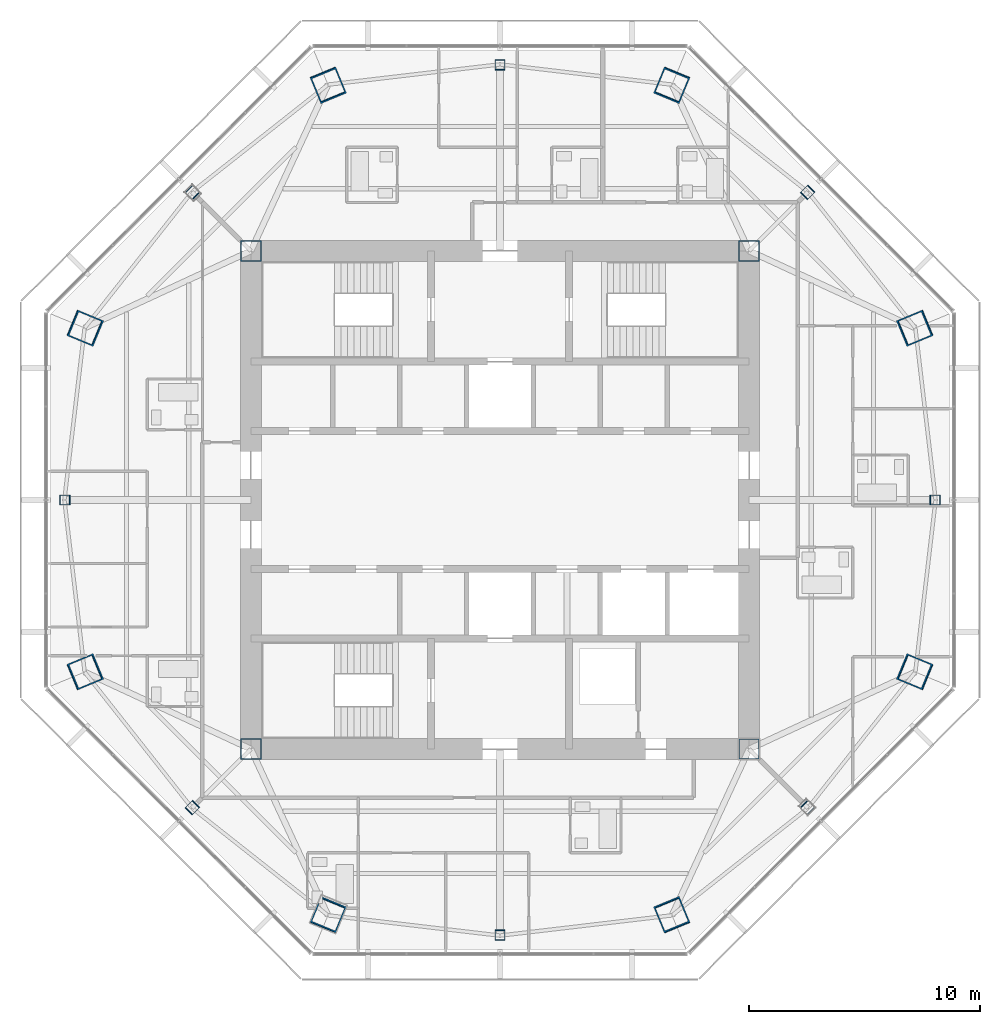
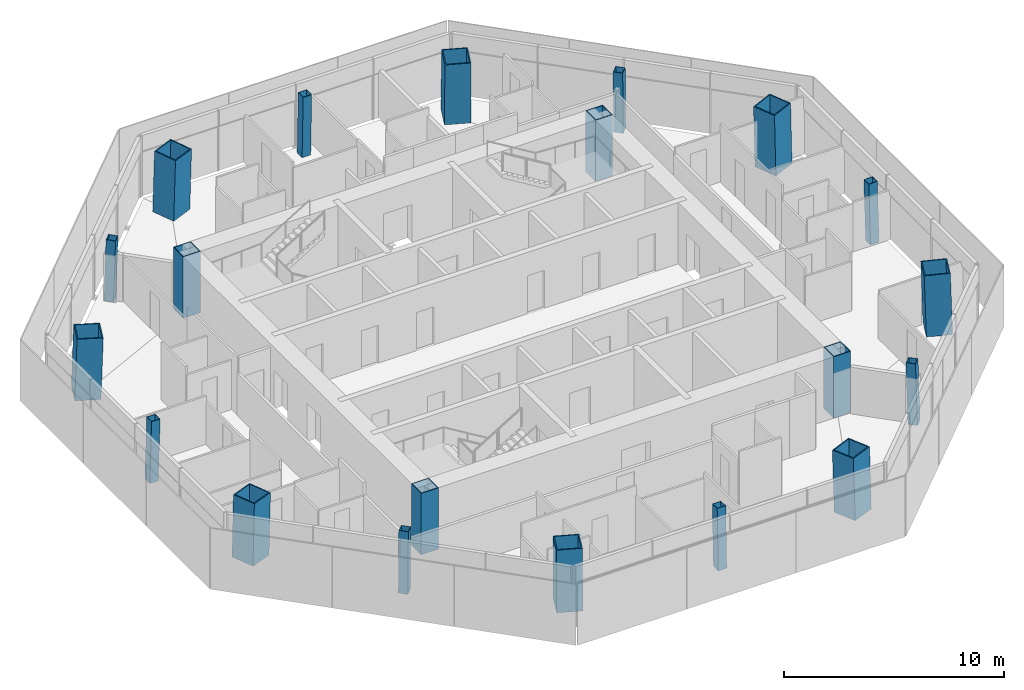
# One storey, part 1 of 15: 20 columns.
"""IFC4 building model written with IfcOpenShell, lengths in metres."""

from ifc_helpers import new_model, si_unit, direction, frame, origin, origin_2d, place, context, subcontext, project, spatial, hollow_rectangle, extrude, material, material_profile, profile_set, type_object, element, save


model = new_model("IFC4")

# Units and contexts
model_context = context("Model", 3, precision=1e-05, world=origin(), true_north=direction((0.0, 1.0)))
body_context = subcontext(model_context, "Body", "Model", "MODEL_VIEW")
ifc_project = project(units=[si_unit("LENGTHUNIT", "METRE"), si_unit("AREAUNIT", "SQUARE_METRE"), si_unit("VOLUMEUNIT", "CUBIC_METRE"), si_unit("PLANEANGLEUNIT", "RADIAN"), si_unit("MASSUNIT", "GRAM", prefix="KILO")], contexts=[model_context])

# Site, building, storey
site_placement = place(None, origin())
site = spatial("IfcSite", under=ifc_project, at=site_placement, CompositionType="ELEMENT")
building_placement = place(site_placement, origin())
building = spatial("IfcBuilding", under=site, at=building_placement, Name="Mashrafa Tower", CompositionType="ELEMENT")
storey_placement = place(building_placement, frame((0.0, 0.0, 294.60009765625)))
storey = spatial("IfcBuildingStorey", under=building, at=storey_placement, Name="L72", CompositionType="ELEMENT", Elevation=294.60009765625)

# Columns
ifc_material_1 = material(Name="Steel ASTM A572 Gr 50", Category="steel")
ifc_material_profile_1 = material_profile(ifc_material_1, hollow_rectangle(XDim=0.89990234375, YDim=0.89990234375, WallThickness=0.0400390625, at=origin_2d()), Name="BOX900X900X40")
ifc_profile_set_1 = profile_set([ifc_material_profile_1], Name="Steel ASTM A572 Gr 50")
column_type_1 = type_object("IfcColumnType", Name="Core corner column BOX900X900X40", PredefinedType="COLUMN", material=ifc_profile_set_1)
for number, where, z_axis, x_axis, name in (
    (1, (10.800048828125, 10.800048828125, 0.0), (0.0, 0.0, 1.0), (1.0, 0.0, 0.0), "Core corner column CC-NE L72"),
    (2, (-10.800048828125, 10.800048828125, 0.0), (0.0, 0.0, 1.0), (1.0, 0.0, 0.0), "Core corner column CC-NW L72"),
    (3, (-10.800048828125, -10.800048828125, 0.0), (0.0, 0.0, 1.0), (1.0, 0.0, 0.0), "Core corner column CC-SW L72"),
    (4, (10.800048828125, -10.800048828125, 0.0), (0.0, 0.0, 1.0), (1.0, 0.0, 0.0), "Core corner column CC-SE L72"),
):
    element("IfcColumn", number, at=place(storey_placement, frame(where, z_axis=z_axis, x_axis=x_axis)), inside=storey, type_object=column_type_1, Name=name, PredefinedType="COLUMN", context=body_context, shape_type="SweptSolid", body=[
        extrude(hollow_rectangle(XDim=0.89990234375, YDim=0.89990234375, WallThickness=0.0400390625, at=origin_2d()), origin(), (0.0, 0.0, 1.0), 3.39990234375),
    ])
ifc_material_2 = material(Name="Steel ASTM A572 Gr 50", Category="steel")
ifc_material_profile_2 = material_profile(ifc_material_2, hollow_rectangle(XDim=1.199951171875, YDim=1.199951171875, WallThickness=0.054931640625, at=origin_2d()), Name="BOX1200X1200X55")
ifc_profile_set_2 = profile_set([ifc_material_profile_2], Name="Steel ASTM A572 Gr 50")
column_type_2 = type_object("IfcColumnType", Name="Mega column CFST BOX1200X1200X55", PredefinedType="COLUMN", material=ifc_profile_set_2)
for number, where, z_axis, x_axis, name in (
    (5, (18.002685546875, 7.45703125, 0.0), (-0.02827915051, -0.01169924247, 0.999531598986), (0.382282742426, -0.924045401938, 0.0), "Mega column MC1 L72"),
    (6, (7.45703125, 18.002685546875, 0.0), (-0.01169924247, -0.02827915051, 0.999531598986), (0.924045401938, -0.382282742426, 0.0), "Mega column MC2 L72"),
    (7, (-7.45703125, 18.002685546875, 0.0), (0.01169924247, -0.02827915051, 0.999531598986), (0.924045401938, 0.382282742426, 0.0), "Mega column MC3 L72"),
    (8, (-18.002685546875, 7.45703125, 0.0), (0.02827915051, -0.01169924247, 0.999531598986), (0.382282742426, 0.924045401938, 0.0), "Mega column MC4 L72"),
    (9, (-18.002685546875, -7.45703125, 0.0), (0.02827915051, 0.01169924247, 0.999531598986), (-0.382282742426, 0.924045401938, 0.0), "Mega column MC5 L72"),
    (10, (-7.45703125, -18.002685546875, 0.0), (0.01169924247, 0.02827915051, 0.999531598986), (-0.924045401938, 0.382282742426, 0.0), "Mega column MC6 L72"),
    (11, (7.45703125, -18.002685546875, 0.0), (-0.01169924247, 0.02827915051, 0.999531598986), (-0.924045401938, -0.382282742426, 0.0), "Mega column MC7 L72"),
    (12, (18.002685546875, -7.45703125, 0.0), (-0.02827915051, 0.01169924247, 0.999531598986), (-0.382282742426, -0.924045401938, 0.0), "Mega column MC8 L72"),
):
    element("IfcColumn", number, at=place(storey_placement, frame(where, z_axis=z_axis, x_axis=x_axis)), inside=storey, type_object=column_type_2, Name=name, PredefinedType="COLUMN", context=body_context, shape_type="SweptSolid", body=[
        extrude(hollow_rectangle(XDim=1.199951171875, YDim=1.199951171875, WallThickness=0.054931640625, at=origin_2d()), origin(), (0.0, 0.0, 1.0), 3.401611328125),
    ])
ifc_material_3 = material(Name="Steel ASTM A572 Gr 50", Category="steel")
ifc_material_profile_3 = material_profile(ifc_material_3, hollow_rectangle(XDim=0.449951171875, YDim=0.449951171875, WallThickness=0.02001953125, at=origin_2d()), Name="BOX450X450X20")
ifc_profile_set_3 = profile_set([ifc_material_profile_3], Name="Steel ASTM A572 Gr 50")
column_type_3 = type_object("IfcColumnType", Name="Secondary column BOX450X450X20", PredefinedType="COLUMN", material=ifc_profile_set_3)
for number, where, z_axis, x_axis, name in (
    (13, (18.880859375, 0.0, 0.0), (-0.028281086024, 0.0, 0.999600010091), (0.0, -1.0, 0.0), "Secondary column SC1 L72"),
    (14, (13.350830078125, 13.350830078125, 0.0), (-0.020026431307, -0.020026431307, 0.999598861593), (0.707106781187, -0.707106781187, 0.0), "Secondary column SC2 L72"),
    (15, (0.0, 18.880859375, 0.0), (0.0, -0.028281086024, 0.999600010091), (1.0, 0.0, 0.0), "Secondary column SC3 L72"),
    (16, (-13.350830078125, 13.350830078125, 0.0), (0.020026431307, -0.020026431307, 0.999598861593), (0.707106781187, 0.707106781187, 0.0), "Secondary column SC4 L72"),
    (17, (-18.880859375, 0.0, 0.0), (0.028281086024, 0.0, 0.999600010091), (0.0, 1.0, 0.0), "Secondary column SC5 L72"),
    (18, (-13.350830078125, -13.350830078125, 0.0), (0.020026431307, 0.020026431307, 0.999598861593), (-0.707106781187, 0.707106781187, 0.0), "Secondary column SC6 L72"),
    (19, (0.0, -18.880859375, 0.0), (0.0, 0.028281086024, 0.999600010091), (-1.0, 0.0, 0.0), "Secondary column SC7 L72"),
    (20, (13.350830078125, -13.350830078125, 0.0), (-0.020026431307, 0.020026431307, 0.999598861593), (-0.707106781187, -0.707106781187, 0.0), "Secondary column SC8 L72"),
):
    element("IfcColumn", number, at=place(storey_placement, frame(where, z_axis=z_axis, x_axis=x_axis)), inside=storey, type_object=column_type_3, Name=name, PredefinedType="COLUMN", context=body_context, shape_type="SweptSolid", body=[
        extrude(hollow_rectangle(XDim=0.449951171875, YDim=0.449951171875, WallThickness=0.02001953125, at=origin_2d()), origin(), (0.0, 0.0, 1.0), 3.4013671875),
    ])

save(model, "model.ifc")
